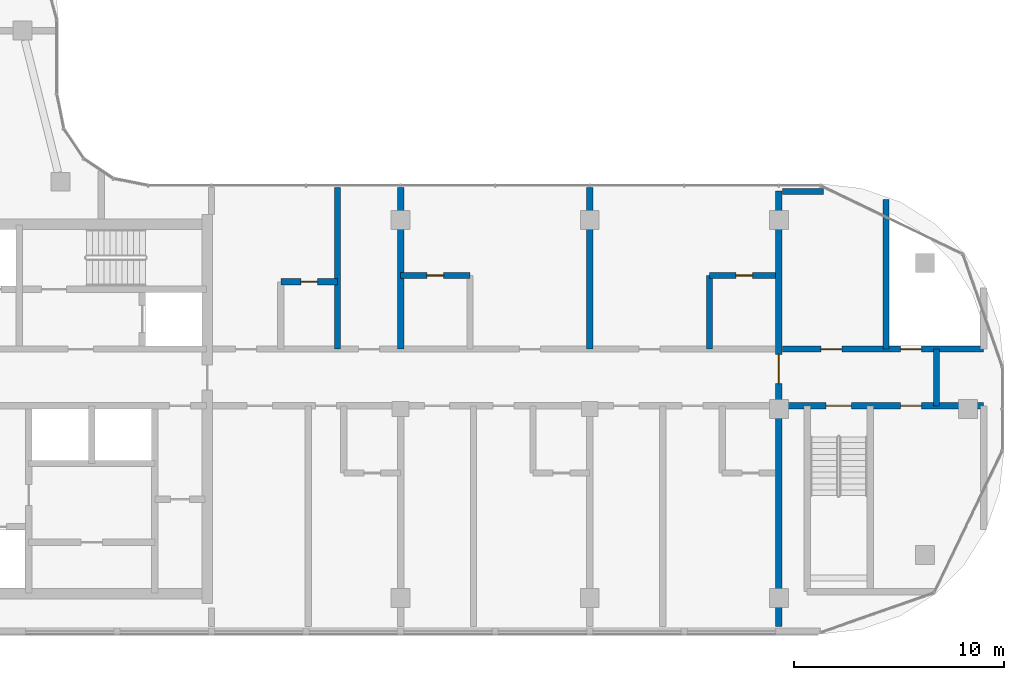
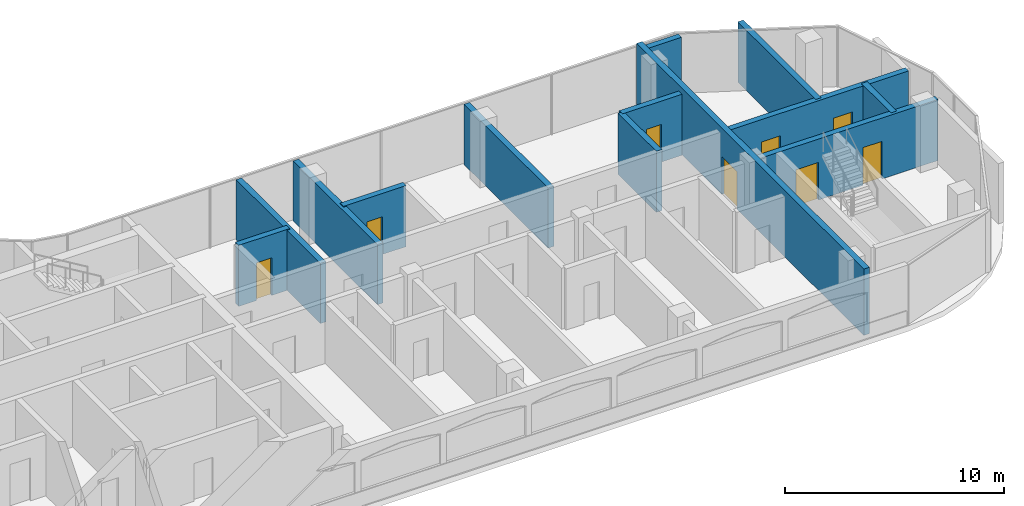
# One storey, part 12 of 19: 13 walls, 8 doors, 8 openings.
"""IFC4 building model written with IfcOpenShell, lengths in metres."""

from ifc_helpers import new_model, si_unit, direction, frame, frame_2d, origin, place, context, subcontext, project, spatial, rectangle, extrude, material, layer, layer_set, type_object, element, fill, save


model = new_model("IFC4")

# Units and contexts
model_context = context("Model", 3, precision=1e-05, world=origin(), true_north=direction((0.0, 1.0)))
body_context = subcontext(model_context, "Body", "Model", "MODEL_VIEW")
ifc_project = project(units=[si_unit("LENGTHUNIT", "METRE"), si_unit("AREAUNIT", "SQUARE_METRE"), si_unit("VOLUMEUNIT", "CUBIC_METRE"), si_unit("PLANEANGLEUNIT", "RADIAN"), si_unit("MASSUNIT", "GRAM", prefix="KILO")], contexts=[model_context])

# Site, building, storey
site_placement = place(None, origin())
site = spatial("IfcSite", under=ifc_project, at=site_placement, CompositionType="ELEMENT")
building_placement = place(site_placement, origin())
building = spatial("IfcBuilding", under=site, at=building_placement, Name="Ogive Portal Towers", CompositionType="ELEMENT")
storey_placement = place(building_placement, frame((0.0, 0.0, 203.199951171875)))
storey = spatial("IfcBuildingStorey", under=building, at=storey_placement, Name="L50", CompositionType="ELEMENT", Elevation=203.199951171875)

# Wall, opening, door
ifc_material_1 = material(Name="Concrete C60/75", Category="concrete")
ifc_layer_1 = layer(ifc_material_1, 0.300048828125)
ifc_layer_set_1 = layer_set([ifc_layer_1], Name="REVEAL WALL 300 C60")
wall_type_1 = type_object("IfcWallType", Name="REVEAL WALL 300 C60", PredefinedType="SHEAR", material=ifc_layer_set_1)
wall_1_placement = place(storey_placement, frame((85.5, 20.135009765625, 0.0), z_axis=(0.0, 0.0, 1.0), x_axis=(0.0, 1.0, 0.0)))
wall_1 = element("IfcWall", 1, at=wall_1_placement, inside=storey, type_object=wall_type_1, Name="Portal reveal wall L50", PredefinedType="SHEAR", context=body_context, shape_type="SweptSolid", body=[
    extrude(rectangle(XDim=20.72998046875, YDim=0.300048828125, at=frame_2d((10.364990234375, 0.0))), origin(), (0.0, 0.0, 1.0), 3.699951171875),
])
opening_1_placement = place(wall_1_placement, frame((11.56494140625, 0.0, 0.0)))
opening_1 = element("IfcOpeningElement", 2, at=opening_1_placement, cuts=wall_1, Name="Opening D22-057", PredefinedType="OPENING", context=body_context, shape_type="SweptSolid", body=[
    extrude(rectangle(XDim=1.39990234375, YDim=2.10009765625, at=frame_2d((0.699951171875, 1.050048828125))), frame((0.0, 0.16015625, 0.0), z_axis=(0.0, -1.0, 0.0), x_axis=(1.0, 0.0, 0.0)), (0.0, 0.0, 1.0), 0.320068359375),
])
ifc_material_2 = material(Name="Steel fire door", Category="steel")
door_type_1 = type_object("IfcDoorType", Name="DT-STAIR-1400x2100-FD90S", OperationType="SINGLE_SWING_LEFT", PredefinedType="DOOR", material=ifc_material_2)
door_1_placement = place(opening_1_placement, origin())
door_1 = element("IfcDoor", 3, at=door_1_placement, inside=storey, type_object=door_type_1, Name="Door D22-057", OperationType="SINGLE_SWING_RIGHT", OverallHeight=2.10009765625, OverallWidth=1.39990234375, PredefinedType="DOOR", context=body_context, shape_type="SweptSolid", body=[
    extrude(rectangle(XDim=1.39990234375, YDim=2.10009765625, at=frame_2d((0.699951171875, 1.050048828125))), frame((0.0, 0.02490234375, 0.0), z_axis=(0.0, -1.0, 0.0), x_axis=(1.0, 0.0, 0.0)), (0.0, 0.0, 1.0), 0.050048828125),
])
fill(opening_1, door_1)

# Wall, openings, doors
ifc_material_3 = material(Name="Concrete C50/60", Category="concrete")
ifc_layer_2 = layer(ifc_material_3, 0.300048828125)
ifc_layer_set_2 = layer_set([ifc_layer_2], Name="STAIR WALL 300 C50")
wall_type_2 = type_object("IfcWallType", Name="STAIR WALL 300 C50", PredefinedType="SHEAR", material=ifc_layer_set_2)
wall_2_placement = place(storey_placement, frame((85.669921875, 30.64990234375, 0.0), z_axis=(0.0, 0.0, 1.0), x_axis=(1.0, 0.0, 0.0)))
wall_2 = element("IfcWall", 4, at=wall_2_placement, inside=storey, type_object=wall_type_2, Name="Stair wall ST-A4 L50", PredefinedType="SHEAR", context=body_context, shape_type="SweptSolid", body=[
    extrude(rectangle(XDim=9.580078125, YDim=0.300048828125, at=frame_2d((4.7900390625, 0.0))), origin(), (0.0, 0.0, 1.0), 3.400146484375),
])
opening_2_placement = place(wall_2_placement, frame((2.080078125, 0.0, 0.0)))
opening_2 = element("IfcOpeningElement", 5, at=opening_2_placement, cuts=wall_2, Name="Opening D22-053", PredefinedType="OPENING", context=body_context, shape_type="SweptSolid", body=[
    extrude(rectangle(XDim=1.199951171875, YDim=2.10009765625, at=frame_2d((0.60009765625, 1.050048828125))), frame((0.0, 0.16015625, 0.0), z_axis=(0.0, -1.0, 0.0), x_axis=(1.0, 0.0, 0.0)), (0.0, 0.0, 1.0), 0.320068359375),
])
opening_3_placement = place(wall_2_placement, frame((5.6298828125, 0.0, 0.0)))
opening_3 = element("IfcOpeningElement", 6, at=opening_3_placement, cuts=wall_2, Name="Opening D22-056", PredefinedType="OPENING", context=body_context, shape_type="SweptSolid", body=[
    extrude(rectangle(XDim=1.0, YDim=2.10009765625, at=frame_2d((0.5, 1.050048828125))), frame((0.0, 0.16015625, 0.0), z_axis=(0.0, -1.0, 0.0), x_axis=(1.0, 0.0, 0.0)), (0.0, 0.0, 1.0), 0.320068359375),
])
door_type_2 = type_object("IfcDoorType", Name="DT-SERVICE-1000x2100-FD90S", OperationType="SINGLE_SWING_LEFT", PredefinedType="DOOR", material=ifc_material_2)
door_2_placement = place(opening_3_placement, origin())
door_2 = element("IfcDoor", 7, at=door_2_placement, inside=storey, type_object=door_type_2, Name="Door D22-056", OperationType="SINGLE_SWING_LEFT", OverallHeight=2.10009765625, OverallWidth=1.0, PredefinedType="DOOR", context=body_context, shape_type="SweptSolid", body=[
    extrude(rectangle(XDim=1.0, YDim=2.10009765625, at=frame_2d((0.5, 1.050048828125))), frame((0.0, 0.02490234375, 0.0), z_axis=(0.0, -1.0, 0.0), x_axis=(1.0, 0.0, 0.0)), (0.0, 0.0, 1.0), 0.050048828125),
])
fill(opening_3, door_2)
door_type_3 = type_object("IfcDoorType", Name="DT-STAIR-1200x2100-FD90S", OperationType="SINGLE_SWING_LEFT", PredefinedType="DOOR", material=ifc_material_2)
door_3_placement = place(opening_2_placement, origin())
door_3 = element("IfcDoor", 8, at=door_3_placement, inside=storey, type_object=door_type_3, Name="Door D22-053", OperationType="SINGLE_SWING_LEFT", OverallHeight=2.10009765625, OverallWidth=1.199951171875, PredefinedType="DOOR", context=body_context, shape_type="SweptSolid", body=[
    extrude(rectangle(XDim=1.199951171875, YDim=2.10009765625, at=frame_2d((0.60009765625, 1.050048828125))), frame((0.0, 0.02490234375, 0.0), z_axis=(0.0, -1.0, 0.0), x_axis=(1.0, 0.0, 0.0)), (0.0, 0.0, 1.0), 0.050048828125),
])
fill(opening_2, door_3)

ifc_material_4 = material(Name="Gypsum board partition on steel studs", Category="steel")
ifc_layer_3 = layer(ifc_material_4, 0.300048828125)
ifc_layer_set_3 = layer_set([ifc_layer_3], Name="WT-PART-300-EI 120")
wall_type_3 = type_object("IfcWallType", Name="WT-PART-300-EI 120", PredefinedType="PARTITIONING", material=ifc_layer_set_3)
wall_3_placement = place(storey_placement, frame((85.669921875, 33.35009765625, 0.0), z_axis=(0.0, 0.0, 1.0), x_axis=(1.0, 0.0, 0.0)))
wall_3 = element("IfcWall", 9, at=wall_3_placement, inside=storey, type_object=wall_type_3, Name="Wall L50:w008", PredefinedType="PARTITIONING", context=body_context, shape_type="SweptSolid", body=[
    extrude(rectangle(XDim=9.580078125, YDim=0.300048828125, at=frame_2d((4.7900390625, 0.0))), origin(), (0.0, 0.0, 1.0), 3.35009765625),
])
opening_4_placement = place(wall_3_placement, frame((1.830078125, 0.0, 0.0)))
opening_4 = element("IfcOpeningElement", 10, at=opening_4_placement, cuts=wall_3, Name="Opening D22-054", PredefinedType="OPENING", context=body_context, shape_type="SweptSolid", body=[
    extrude(rectangle(XDim=1.0, YDim=2.10009765625, at=frame_2d((0.5, 1.050048828125))), frame((0.0, 0.16015625, 0.0), z_axis=(0.0, -1.0, 0.0), x_axis=(1.0, 0.0, 0.0)), (0.0, 0.0, 1.0), 0.320068359375),
])
opening_5_placement = place(wall_3_placement, frame((5.6298828125, 0.0, 0.0)))
opening_5 = element("IfcOpeningElement", 11, at=opening_5_placement, cuts=wall_3, Name="Opening D22-055", PredefinedType="OPENING", context=body_context, shape_type="SweptSolid", body=[
    extrude(rectangle(XDim=1.0, YDim=2.10009765625, at=frame_2d((0.5, 1.050048828125))), frame((0.0, 0.16015625, 0.0), z_axis=(0.0, -1.0, 0.0), x_axis=(1.0, 0.0, 0.0)), (0.0, 0.0, 1.0), 0.320068359375),
])
door_4_placement = place(opening_4_placement, origin())
door_4 = element("IfcDoor", 12, at=door_4_placement, inside=storey, type_object=door_type_2, Name="Door D22-054", OperationType="SINGLE_SWING_LEFT", OverallHeight=2.10009765625, OverallWidth=1.0, PredefinedType="DOOR", context=body_context, shape_type="SweptSolid", body=[
    extrude(rectangle(XDim=1.0, YDim=2.10009765625, at=frame_2d((0.5, 1.050048828125))), frame((0.0, 0.02490234375, 0.0), z_axis=(0.0, -1.0, 0.0), x_axis=(1.0, 0.0, 0.0)), (0.0, 0.0, 1.0), 0.050048828125),
])
fill(opening_4, door_4)
door_5_placement = place(opening_5_placement, origin())
door_5 = element("IfcDoor", 13, at=door_5_placement, inside=storey, type_object=door_type_2, Name="Riser access door D22-055", OperationType="SINGLE_SWING_RIGHT", OverallHeight=2.10009765625, OverallWidth=1.0, PredefinedType="DOOR", context=body_context, shape_type="SweptSolid", body=[
    extrude(rectangle(XDim=1.0, YDim=2.10009765625, at=frame_2d((0.5, 1.050048828125))), frame((0.0, 0.02490234375, 0.0), z_axis=(0.0, -1.0, 0.0), x_axis=(1.0, 0.0, 0.0)), (0.0, 0.0, 1.0), 0.050048828125),
])
fill(opening_5, door_5)

# Wall
wall_4_placement = place(storey_placement, frame((93.0, 30.64990234375, 0.0), z_axis=(0.0, 0.0, 1.0), x_axis=(0.0, 1.0, 0.0)))
element("IfcWall", 14, at=wall_4_placement, inside=storey, type_object=wall_type_3, Name="Wall L50:w053", PredefinedType="PARTITIONING", context=body_context, shape_type="SweptSolid", body=[
    extrude(rectangle(XDim=2.7001953125, YDim=0.300048828125, at=frame_2d((1.35009765625, 0.0))), origin(), (0.0, 0.0, 1.0), 3.400146484375),
])

# Wall, opening, door
ifc_layer_4 = layer(ifc_material_4, 0.300048828125)
ifc_layer_set_4 = layer_set([ifc_layer_4], Name="WT-PART-300-EI 60")
wall_type_4 = type_object("IfcWallType", Name="WT-PART-300-EI 60", PredefinedType="PARTITIONING", material=ifc_layer_set_4)
wall_5_placement = place(storey_placement, frame((61.800048828125, 36.550048828125, 0.0), z_axis=(0.0, 0.0, 1.0), x_axis=(1.0, 0.0, 0.0)))
wall_5 = element("IfcWall", 15, at=wall_5_placement, inside=storey, type_object=wall_type_4, Name="Wall L50:w009", PredefinedType="PARTITIONING", context=body_context, shape_type="SweptSolid", body=[
    extrude(rectangle(XDim=2.699951171875, YDim=0.300048828125, at=frame_2d((1.35009765625, 0.0))), origin(), (0.0, 0.0, 1.0), 3.400146484375),
])
opening_6_placement = place(wall_5_placement, frame((0.949951171875, 0.0, 0.0)))
opening_6 = element("IfcOpeningElement", 16, at=opening_6_placement, cuts=wall_5, Name="Opening D22-026", PredefinedType="OPENING", context=body_context, shape_type="SweptSolid", body=[
    extrude(rectangle(XDim=0.800048828125, YDim=2.10009765625, at=frame_2d((0.39990234375, 1.050048828125))), frame((0.0, 0.16015625, 0.0), z_axis=(0.0, -1.0, 0.0), x_axis=(1.0, 0.0, 0.0)), (0.0, 0.0, 1.0), 0.320068359375),
])
door_type_4 = type_object("IfcDoorType", Name="DT-BATH-800x2100-FD60S", OperationType="SINGLE_SWING_LEFT", PredefinedType="DOOR", material=ifc_material_2)
door_6_placement = place(opening_6_placement, origin())
door_6 = element("IfcDoor", 17, at=door_6_placement, inside=storey, type_object=door_type_4, Name="Door D22-026", OperationType="SINGLE_SWING_LEFT", OverallHeight=2.10009765625, OverallWidth=0.800048828125, PredefinedType="DOOR", context=body_context, shape_type="SweptSolid", body=[
    extrude(rectangle(XDim=0.800048828125, YDim=2.10009765625, at=frame_2d((0.39990234375, 1.050048828125))), frame((0.0, 0.02490234375, 0.0), z_axis=(0.0, -1.0, 0.0), x_axis=(1.0, 0.0, 0.0)), (0.0, 0.0, 1.0), 0.050048828125),
])
fill(opening_6, door_6)

wall_6_placement = place(storey_placement, frame((67.5, 36.85009765625, 0.0), z_axis=(0.0, 0.0, 1.0), x_axis=(1.0, 0.0, 0.0)))
wall_6 = element("IfcWall", 18, at=wall_6_placement, inside=storey, type_object=wall_type_4, Name="Wall L50:w010", PredefinedType="PARTITIONING", context=body_context, shape_type="SweptSolid", body=[
    extrude(rectangle(XDim=3.300048828125, YDim=0.300048828125, at=frame_2d((1.64990234375, 0.0))), origin(), (0.0, 0.0, 1.0), 3.400146484375),
])
opening_7_placement = place(wall_6_placement, frame((1.25, 0.0, 0.0)))
opening_7 = element("IfcOpeningElement", 19, at=opening_7_placement, cuts=wall_6, Name="Opening D22-032", PredefinedType="OPENING", context=body_context, shape_type="SweptSolid", body=[
    extrude(rectangle(XDim=0.800048828125, YDim=2.10009765625, at=frame_2d((0.39990234375, 1.050048828125))), frame((0.0, 0.16015625, 0.0), z_axis=(0.0, -1.0, 0.0), x_axis=(1.0, 0.0, 0.0)), (0.0, 0.0, 1.0), 0.320068359375),
])
door_7_placement = place(opening_7_placement, origin())
door_7 = element("IfcDoor", 20, at=door_7_placement, inside=storey, type_object=door_type_4, Name="Door D22-032", OperationType="SINGLE_SWING_LEFT", OverallHeight=2.10009765625, OverallWidth=0.800048828125, PredefinedType="DOOR", context=body_context, shape_type="SweptSolid", body=[
    extrude(rectangle(XDim=0.800048828125, YDim=2.10009765625, at=frame_2d((0.39990234375, 1.050048828125))), frame((0.0, 0.02490234375, 0.0), z_axis=(0.0, -1.0, 0.0), x_axis=(1.0, 0.0, 0.0)), (0.0, 0.0, 1.0), 0.050048828125),
])
fill(opening_7, door_7)

wall_7_placement = place(storey_placement, frame((82.199951171875, 36.85009765625, 0.0), z_axis=(0.0, 0.0, 1.0), x_axis=(1.0, 0.0, 0.0)))
wall_7 = element("IfcWall", 21, at=wall_7_placement, inside=storey, type_object=wall_type_4, Name="Wall L50:w011", PredefinedType="PARTITIONING", context=body_context, shape_type="SweptSolid", body=[
    extrude(rectangle(XDim=3.130126953125, YDim=0.300048828125, at=frame_2d((1.56494140625, 0.0))), origin(), (0.0, 0.0, 1.0), 3.400146484375),
])
opening_8_placement = place(wall_7_placement, frame((1.25, 0.0, 0.0)))
opening_8 = element("IfcOpeningElement", 22, at=opening_8_placement, cuts=wall_7, Name="Opening D22-037", PredefinedType="OPENING", context=body_context, shape_type="SweptSolid", body=[
    extrude(rectangle(XDim=0.800048828125, YDim=2.10009765625, at=frame_2d((0.39990234375, 1.050048828125))), frame((0.0, 0.16015625, 0.0), z_axis=(0.0, -1.0, 0.0), x_axis=(1.0, 0.0, 0.0)), (0.0, 0.0, 1.0), 0.320068359375),
])
door_8_placement = place(opening_8_placement, origin())
door_8 = element("IfcDoor", 23, at=door_8_placement, inside=storey, type_object=door_type_4, Name="Door D22-037", OperationType="SINGLE_SWING_LEFT", OverallHeight=2.10009765625, OverallWidth=0.800048828125, PredefinedType="DOOR", context=body_context, shape_type="SweptSolid", body=[
    extrude(rectangle(XDim=0.800048828125, YDim=2.10009765625, at=frame_2d((0.39990234375, 1.050048828125))), frame((0.0, 0.02490234375, 0.0), z_axis=(0.0, -1.0, 0.0), x_axis=(1.0, 0.0, 0.0)), (0.0, 0.0, 1.0), 0.050048828125),
])
fill(opening_8, door_8)

# Walls
wall_8_placement = place(storey_placement, frame((85.669921875, 40.85009765625, 0.0), z_axis=(0.0, 0.0, 1.0), x_axis=(1.0, 0.0, 0.0)))
element("IfcWall", 24, at=wall_8_placement, inside=storey, type_object=wall_type_4, Name="Wall L50:w013", PredefinedType="PARTITIONING", context=body_context, shape_type="SweptSolid", body=[
    extrude(rectangle(XDim=1.943115234375, YDim=0.300048828125, at=frame_2d((0.9716796875, 0.0))), origin(), (0.0, 0.0, 1.0), 3.35009765625),
])
for number, where, z_axis, x_axis, name in (
    (25, (64.5, 33.35009765625, 0.0), (0.0, 0.0, 1.0), (0.0, 1.0, 0.0), "Wall L50:w038"),
    (26, (67.5, 33.35009765625, 0.0), (0.0, 0.0, 1.0), (0.0, 1.0, 0.0), "Wall L50:w041"),
    (27, (76.5, 33.35009765625, 0.0), (0.0, 0.0, 1.0), (0.0, 1.0, 0.0), "Wall L50:w046"),
):
    element("IfcWall", number, at=place(storey_placement, frame(where, z_axis=z_axis, x_axis=x_axis)), inside=storey, type_object=wall_type_4, Name=name, PredefinedType="PARTITIONING", context=body_context, shape_type="SweptSolid", body=[
        extrude(rectangle(XDim=7.69482421875, YDim=0.300048828125, at=frame_2d((3.847412109375, 0.0))), origin(), (0.0, 0.0, 1.0), 3.35009765625),
    ])
wall_9_placement = place(storey_placement, frame((82.199951171875, 33.35009765625, 0.0), z_axis=(0.0, 0.0, 1.0), x_axis=(0.0, 1.0, 0.0)))
element("IfcWall", 28, at=wall_9_placement, inside=storey, type_object=wall_type_4, Name="Wall L50:w048", PredefinedType="PARTITIONING", context=body_context, shape_type="SweptSolid", body=[
    extrude(rectangle(XDim=3.5, YDim=0.300048828125, at=frame_2d((1.75, 0.0))), origin(), (0.0, 0.0, 1.0), 3.400146484375),
])
wall_10_placement = place(storey_placement, frame((90.60009765625, 33.35009765625, 0.0), z_axis=(0.0, 0.0, 1.0), x_axis=(0.0, 1.0, 0.0)))
element("IfcWall", 29, at=wall_10_placement, inside=storey, type_object=wall_type_4, Name="Wall L50:w052", PredefinedType="PARTITIONING", context=body_context, shape_type="SweptSolid", body=[
    extrude(rectangle(XDim=7.1240234375, YDim=0.300048828125, at=frame_2d((3.56201171875, 0.0))), origin(), (0.0, 0.0, 1.0), 3.35009765625),
])

save(model, "model.ifc")
